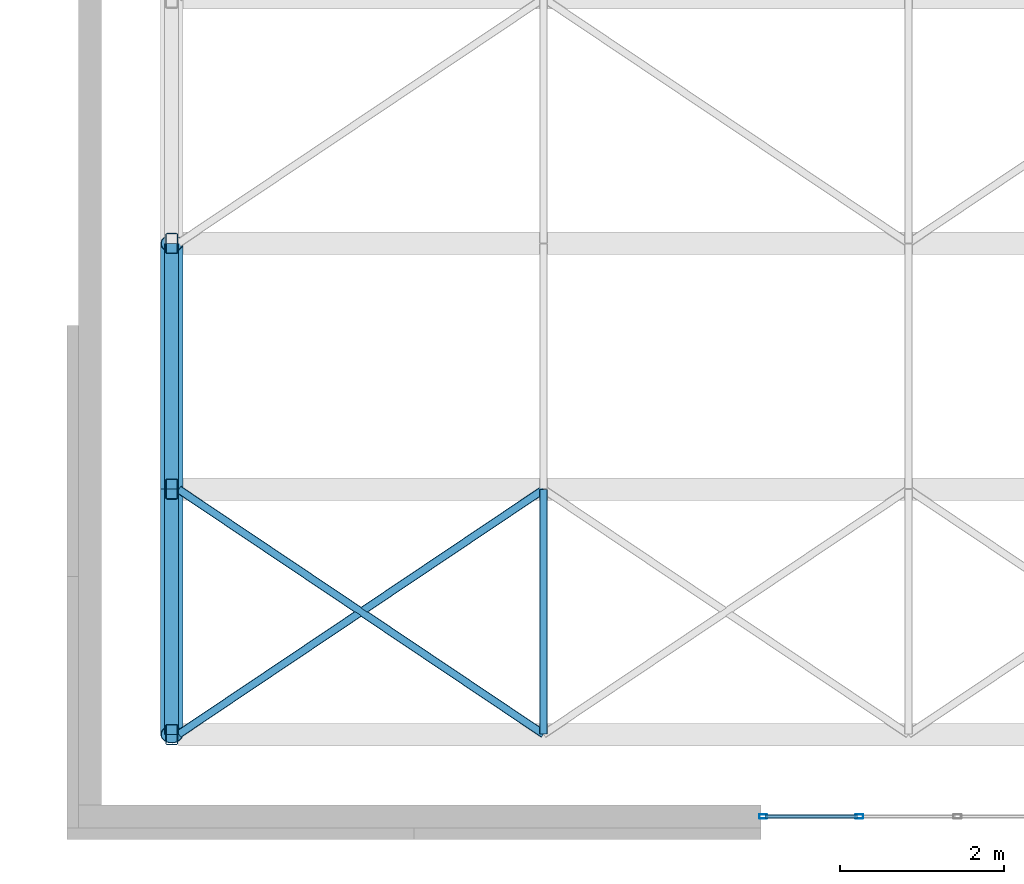
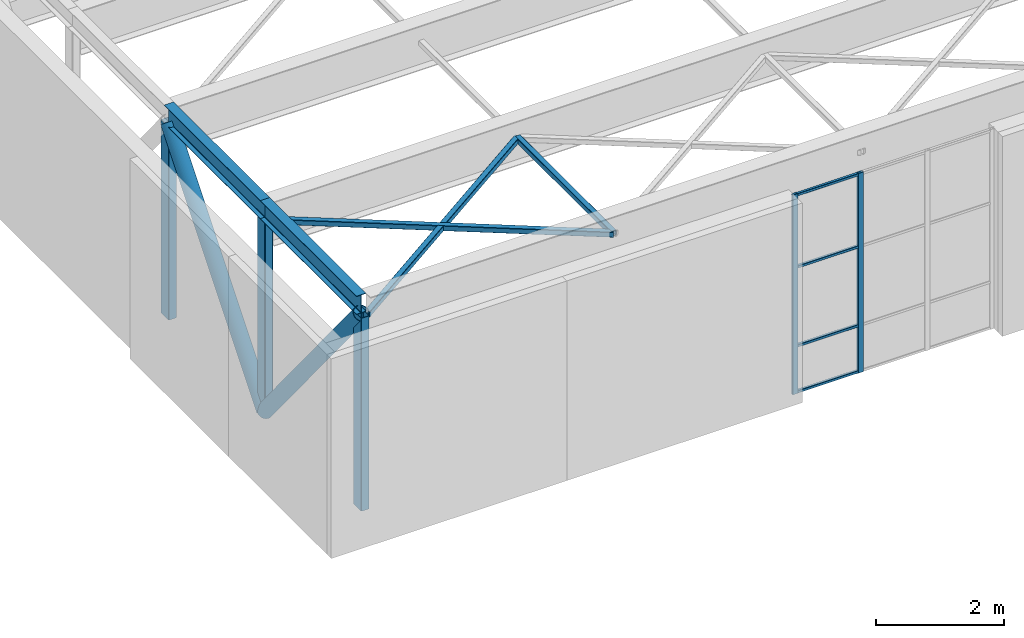
# One storey, part 27 of 81: 16 members, 1 element without a shape of its own.
"""IFC4 building model written with IfcOpenShell, lengths in metres."""

from ifc_helpers import new_model, si_unit, direction, frame, origin, origin_2d, place, context, subcontext, project, spatial, hollow_rectangle, hollow_circle, i_section, extrude, material, layer, layer_set, material_profile, profile_set, type_object, element, aggregate, save


model = new_model("IFC4")

# Units and contexts
model_context = context("Model", 3, precision=1e-05, world=origin(), true_north=direction((0.0, 1.0)))
body_context = subcontext(model_context, "Body", "Model", "MODEL_VIEW")
ifc_project = project(units=[si_unit("LENGTHUNIT", "METRE"), si_unit("AREAUNIT", "SQUARE_METRE"), si_unit("VOLUMEUNIT", "CUBIC_METRE"), si_unit("PLANEANGLEUNIT", "RADIAN"), si_unit("MASSUNIT", "GRAM", prefix="KILO")], contexts=[model_context])

# Site, building, storey
site_placement = place(None, origin())
site = spatial("IfcSite", under=ifc_project, at=site_placement, CompositionType="ELEMENT")
building_placement = place(site_placement, origin())
building = spatial("IfcBuilding", under=site, at=building_placement, Name="Tuart Plaza Theatre", CompositionType="ELEMENT")
storey_placement = place(building_placement, frame((0.0, 0.0, 17.5)))
storey = spatial("IfcBuildingStorey", under=building, at=storey_placement, Name="L04", CompositionType="ELEMENT", Elevation=17.5)

# Members
ifc_material_1 = material(Name="Steel Grade 300", Category="steel")
ifc_material_profile_1 = material_profile(ifc_material_1, i_section(OverallWidth=0.1708984375, OverallDepth=0.35205078125, WebThickness=0.0068359375, FlangeThickness=0.009765625, FilletRadius=0.011474609375, at=origin_2d()), Name="360UB44.7")
ifc_profile_set_1 = profile_set([ifc_material_profile_1], Name="Steel Grade 300")
member_type_1 = type_object("IfcMemberType", Name="BELT TRUSS Chord 360UB44.7", PredefinedType="CHORD", material=ifc_profile_set_1)
for number, where, z_axis, x_axis, name in (
    (1, (87.0, 32.0, 3.6240234375), (0.0, 1.0, 0.0), (-1.0, 0.0, 0.0), "CH48"),
    (2, (87.0, 35.0, 3.6240234375), (0.0, 1.0, 0.0), (-1.0, 0.0, 0.0), "CH49"),
):
    element("IfcMember", number, at=place(storey_placement, frame(where, z_axis=z_axis, x_axis=x_axis)), inside=storey, type_object=member_type_1, Name=name, PredefinedType="CHORD", context=body_context, shape_type="SweptSolid", body=[
        extrude(i_section(OverallWidth=0.1708984375, OverallDepth=0.35205078125, WebThickness=0.0068359375, FlangeThickness=0.009765625, FilletRadius=0.011474609375, at=origin_2d()), origin(), (0.0, 0.0, 1.0), 3.0),
    ])
ifc_material_2 = material(Name="Steel Grade C350L0", Category="steel")
ifc_material_profile_2 = material_profile(ifc_material_2, hollow_circle(Radius=0.136474609375, WallThickness=0.00927734375, at=origin_2d()), Name="273.1x9.3 CHS")
ifc_profile_set_2 = profile_set([ifc_material_profile_2], Name="Steel Grade C350L0")
member_type_2 = type_object("IfcMemberType", Name="BELT TRUSS Diagonal 273.1x9.3 CHS", PredefinedType="BRACE", material=ifc_profile_set_2)
for number, where, z_axis, x_axis, name in (
    (3, (87.0, 35.0, -0.22412109375), (0.0, -0.63267406752, 0.774418184373), (1.0, 0.0, 0.0), "BR156"),
    (4, (87.0, 35.0, -0.22412109375), (0.0, 0.63267406752, 0.774418184373), (-1.0, 0.0, 0.0), "BR158"),
):
    element("IfcMember", number, at=place(storey_placement, frame(where, z_axis=z_axis, x_axis=x_axis)), inside=storey, type_object=member_type_2, Name=name, PredefinedType="BRACE", context=body_context, shape_type="SweptSolid", body=[
        extrude(hollow_circle(Radius=0.136474609375, WallThickness=0.00927734375, at=origin_2d()), origin(), (0.0, 0.0, 1.0), 4.74169921875),
    ])
ifc_material_3 = material(Name="Steel Grade C350L0", Category="steel")
ifc_material_profile_3 = material_profile(ifc_material_3, hollow_rectangle(XDim=0.14990234375, YDim=0.25, WallThickness=0.009033203125, InnerFilletRadius=0.009033203125, OuterFilletRadius=0.01806640625, at=origin_2d()), Name="250x150x9 RHS")
ifc_profile_set_3 = profile_set([ifc_material_profile_3], Name="Steel Grade C350L0")
member_type_3 = type_object("IfcMemberType", Name="BELT TRUSS Post 250x150x9 RHS", PredefinedType="POST", material=ifc_profile_set_3)
for number, where, z_axis, x_axis, name in (
    (5, (87.0, 32.0, -0.22412109375), (0.0, 0.0, 1.0), (1.0, 0.0, 0.0), "PO214"),
    (6, (87.0, 35.0, -0.22412109375), (0.0, 0.0, 1.0), (1.0, 0.0, 0.0), "PO216"),
    (7, (87.0, 38.0, -0.22412109375), (0.0, 0.0, 1.0), (1.0, 0.0, 0.0), "PO218"),
):
    element("IfcMember", number, at=place(storey_placement, frame(where, z_axis=z_axis, x_axis=x_axis)), inside=storey, type_object=member_type_3, Name=name, PredefinedType="POST", context=body_context, shape_type="SweptSolid", body=[
        extrude(hollow_rectangle(XDim=0.14990234375, YDim=0.25, WallThickness=0.009033203125, InnerFilletRadius=0.009033203125, OuterFilletRadius=0.01806640625, at=origin_2d()), origin(), (0.0, 0.0, 1.0), 3.672119140625),
    ])
ifc_material_4 = material(Name="Steel Grade C350L0", Category="steel")
ifc_material_profile_4 = material_profile(ifc_material_4, hollow_rectangle(XDim=0.10009765625, YDim=0.10009765625, WallThickness=0.006103515625, InnerFilletRadius=0.006103515625, OuterFilletRadius=0.011962890625, at=origin_2d()), Name="100x100x6 SHS")
ifc_profile_set_4 = profile_set([ifc_material_profile_4], Name="Steel Grade C350L0")
member_type_4 = type_object("IfcMemberType", Name="MEMBER Brace 100x100x6 SHS", PredefinedType="BRACE", material=ifc_profile_set_4)
for number, where, z_axis, x_axis, name in (
    (8, (87.08544921875, 32.0048828125, 3.375), (0.830437288335, 0.557112116313, 0.0), (-0.557112116313, 0.830437288335, 0.0), "BR175"),
    (9, (87.08544921875, 34.9951171875, 3.375), (0.830437288335, -0.557112116313, 0.0), (0.557112116313, 0.830437288335, 0.0), "BR175"),
):
    element("IfcMember", number, at=place(storey_placement, frame(where, z_axis=z_axis, x_axis=x_axis)), inside=storey, type_object=member_type_4, Name=name, PredefinedType="BRACE", context=body_context, shape_type="SweptSolid", body=[
        extrude(hollow_rectangle(XDim=0.10009765625, YDim=0.10009765625, WallThickness=0.006103515625, InnerFilletRadius=0.006103515625, OuterFilletRadius=0.011962890625, at=origin_2d()), origin(), (0.0, 0.0, 1.0), 5.367431640625),
    ])
ifc_material_5 = material(Name="Steel Grade C350L0", Category="steel")
ifc_material_profile_5 = material_profile(ifc_material_5, hollow_rectangle(XDim=0.10009765625, YDim=0.10009765625, WallThickness=0.006103515625, InnerFilletRadius=0.006103515625, OuterFilletRadius=0.011962890625, at=origin_2d()), Name="100x100x6 SHS")
ifc_profile_set_5 = profile_set([ifc_material_profile_5], Name="Steel Grade C350L0")
member_type_5 = type_object("IfcMemberType", Name="MEMBER Purlin 100x100x6 SHS", PredefinedType="PURLIN", material=ifc_profile_set_5)
member_1_placement = place(storey_placement, frame((91.542724609375, 32.0048828125, 3.375), z_axis=(0.0, 1.0, 0.0), x_axis=(-1.0, 0.0, 0.0)))
element("IfcMember", 10, at=member_1_placement, inside=storey, type_object=member_type_5, Name="PU115", PredefinedType="PURLIN", context=body_context, shape_type="SweptSolid", body=[
    extrude(hollow_rectangle(XDim=0.10009765625, YDim=0.10009765625, WallThickness=0.006103515625, InnerFilletRadius=0.006103515625, OuterFilletRadius=0.011962890625, at=origin_2d()), origin(), (0.0, 0.0, 1.0), 2.990234375),
])

# Curtain wall, members
ifc_material_6 = material(Name="Aluminium and glass", Category="aluminium")
ifc_layer = layer(ifc_material_6, 0.10009765625)
ifc_layer_set = layer_set([ifc_layer], Name="CURTAIN WALL 1200 module")
curtain_wall_type = type_object("IfcCurtainWallType", Name="CURTAIN WALL 1200 module", PredefinedType="NOTDEFINED", material=ifc_layer_set)
curtain_wall_placement = place(storey_placement, origin())
curtain_wall = element("IfcCurtainWall", 11, at=curtain_wall_placement, inside=storey, type_object=curtain_wall_type, Name="CW47", PredefinedType="NOTDEFINED")
ifc_material_7 = material(Name="Aluminium 6063-T5", Category="aluminium")
ifc_material_profile_6 = material_profile(ifc_material_7, hollow_rectangle(XDim=0.050048828125, YDim=0.10009765625, WallThickness=0.00390625, InnerFilletRadius=0.00390625, OuterFilletRadius=0.008056640625, at=origin_2d()), Name="RHS 100x50x4")
ifc_profile_set_6 = profile_set([ifc_material_profile_6], Name="Aluminium 6063-T5")
member_type_6 = type_object("IfcMemberType", Name="MULLION RHS 100x50x4", PredefinedType="MULLION", material=ifc_profile_set_6)
member_2_placement = place(storey_placement, frame((94.22509765625, 31.0, 0.0), z_axis=(0.0, 0.0, 1.0), x_axis=(0.0, 1.0, 0.0)))
member_2 = element("IfcMember", 12, at=member_2_placement, type_object=member_type_6, Name="CW47 mullion 1", PredefinedType="MULLION", context=body_context, shape_type="SweptSolid", body=[
    extrude(hollow_rectangle(XDim=0.050048828125, YDim=0.10009765625, WallThickness=0.00390625, InnerFilletRadius=0.00390625, OuterFilletRadius=0.008056640625, at=origin_2d()), origin(), (0.0, 0.0, 1.0), 3.800048828125),
])
member_3_placement = place(storey_placement, frame((95.39990234375, 31.0, 0.0), z_axis=(0.0, 0.0, 1.0), x_axis=(0.0, 1.0, 0.0)))
member_3 = element("IfcMember", 13, at=member_3_placement, type_object=member_type_6, Name="CW47 mullion 2", PredefinedType="MULLION", context=body_context, shape_type="SweptSolid", body=[
    extrude(hollow_rectangle(XDim=0.050048828125, YDim=0.10009765625, WallThickness=0.00390625, InnerFilletRadius=0.00390625, OuterFilletRadius=0.008056640625, at=origin_2d()), origin(), (0.0, 0.0, 1.0), 3.800048828125),
])
ifc_material_8 = material(Name="Aluminium 6063-T5", Category="aluminium")
ifc_material_profile_7 = material_profile(ifc_material_8, hollow_rectangle(XDim=0.050048828125, YDim=0.050048828125, WallThickness=0.00390625, InnerFilletRadius=0.00390625, OuterFilletRadius=0.008056640625, at=origin_2d()), Name="RHS 50x50x4")
ifc_profile_set_7 = profile_set([ifc_material_profile_7], Name="Aluminium 6063-T5")
member_type_7 = type_object("IfcMemberType", Name="TRANSOM RHS 50x50x4", PredefinedType="USERDEFINED", material=ifc_profile_set_7)
member_4_placement = place(storey_placement, frame((94.25, 31.0, 0.02490234375), z_axis=(1.0, 0.0, 0.0), x_axis=(0.0, 1.0, 0.0)))
member_4 = element("IfcMember", 14, at=member_4_placement, type_object=member_type_7, Name="CW47 transom 1.1", ObjectType="TRANSOM", PredefinedType="USERDEFINED", context=body_context, shape_type="SweptSolid", body=[
    extrude(hollow_rectangle(XDim=0.050048828125, YDim=0.050048828125, WallThickness=0.00390625, InnerFilletRadius=0.00390625, OuterFilletRadius=0.008056640625, at=origin_2d()), origin(), (0.0, 0.0, 1.0), 1.125),
])
member_5_placement = place(storey_placement, frame((94.25, 31.0, 0.89990234375), z_axis=(1.0, 0.0, 0.0), x_axis=(0.0, 1.0, 0.0)))
member_5 = element("IfcMember", 15, at=member_5_placement, type_object=member_type_7, Name="CW47 transom 1.2", ObjectType="TRANSOM", PredefinedType="USERDEFINED", context=body_context, shape_type="SweptSolid", body=[
    extrude(hollow_rectangle(XDim=0.050048828125, YDim=0.050048828125, WallThickness=0.00390625, InnerFilletRadius=0.00390625, OuterFilletRadius=0.008056640625, at=origin_2d()), origin(), (0.0, 0.0, 1.0), 1.125),
])
member_6_placement = place(storey_placement, frame((94.25, 31.0, 2.39990234375), z_axis=(1.0, 0.0, 0.0), x_axis=(0.0, 1.0, 0.0)))
member_6 = element("IfcMember", 16, at=member_6_placement, type_object=member_type_7, Name="CW47 transom 1.3", ObjectType="TRANSOM", PredefinedType="USERDEFINED", context=body_context, shape_type="SweptSolid", body=[
    extrude(hollow_rectangle(XDim=0.050048828125, YDim=0.050048828125, WallThickness=0.00390625, InnerFilletRadius=0.00390625, OuterFilletRadius=0.008056640625, at=origin_2d()), origin(), (0.0, 0.0, 1.0), 1.125),
])
member_7_placement = place(storey_placement, frame((94.25, 31.0, 3.77490234375), z_axis=(1.0, 0.0, 0.0), x_axis=(0.0, 1.0, 0.0)))
member_7 = element("IfcMember", 17, at=member_7_placement, type_object=member_type_7, Name="CW47 transom 1.4", ObjectType="TRANSOM", PredefinedType="USERDEFINED", context=body_context, shape_type="SweptSolid", body=[
    extrude(hollow_rectangle(XDim=0.050048828125, YDim=0.050048828125, WallThickness=0.00390625, InnerFilletRadius=0.00390625, OuterFilletRadius=0.008056640625, at=origin_2d()), origin(), (0.0, 0.0, 1.0), 1.125),
])
aggregate(curtain_wall, [member_2, member_3, member_4, member_5, member_6, member_7])

save(model, "model.ifc")
